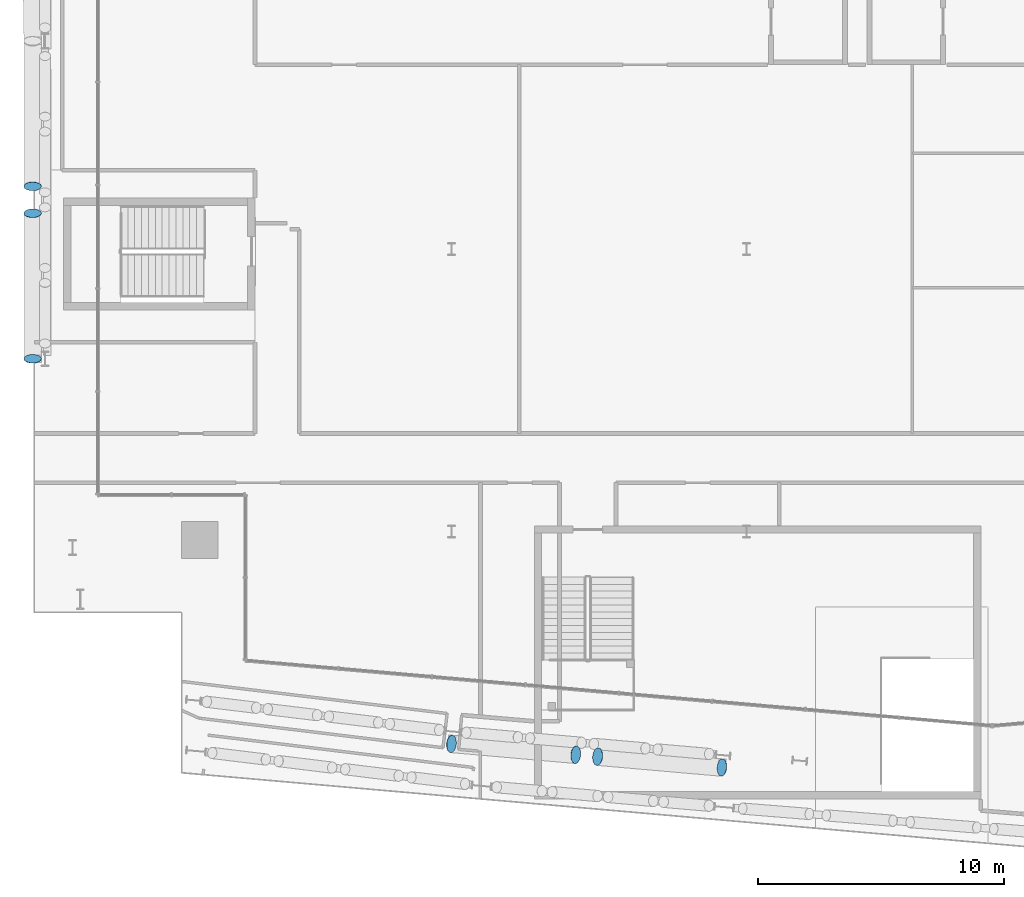
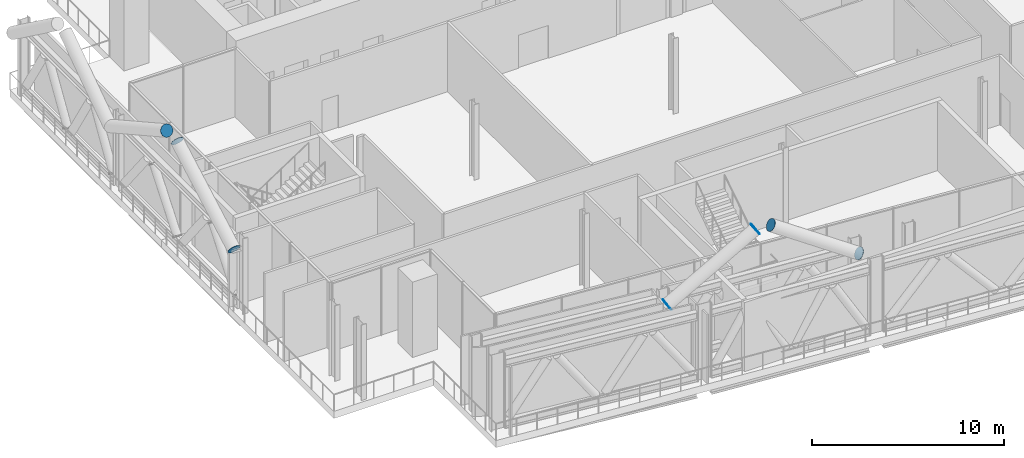
# One storey, part 24 of 42: 7 discrete accessories.
"""IFC4 building model written with IfcOpenShell, lengths in metres."""

from ifc_helpers import new_model, si_unit, direction, frame, origin, origin_2d, place, context, subcontext, project, spatial, circle, extrude, material, material_profile, profile_set, type_object, element, save


model = new_model("IFC4")

# Units and contexts
model_context = context("Model", 3, precision=1e-05, world=origin(), true_north=direction((0.0, 1.0)))
body_context = subcontext(model_context, "Body", "Model", "MODEL_VIEW")
ifc_project = project(units=[si_unit("LENGTHUNIT", "METRE"), si_unit("AREAUNIT", "SQUARE_METRE"), si_unit("VOLUMEUNIT", "CUBIC_METRE"), si_unit("PLANEANGLEUNIT", "RADIAN"), si_unit("MASSUNIT", "GRAM", prefix="KILO")], contexts=[model_context])

# Site, building, storey
site_placement = place(None, origin())
site = spatial("IfcSite", under=ifc_project, at=site_placement, CompositionType="ELEMENT")
building_placement = place(site_placement, origin())
building = spatial("IfcBuilding", under=site, at=building_placement, Name="Wharfspan Tower", CompositionType="ELEMENT")
storey_placement = place(building_placement, frame((0.0, 0.0, 147.100098)))
storey = spatial("IfcBuildingStorey", under=building, at=storey_placement, Name="L35", CompositionType="ELEMENT", Elevation=147.100098)

# Discrete accessories
ifc_material = material(Name="Steel S460NH", Category="steel")
ifc_material_profile = material_profile(ifc_material, circle(Radius=0.355469, at=origin_2d()))
ifc_profile_set = profile_set([ifc_material_profile], Name="Steel S460NH")
discrete_accessory_type = type_object("IfcDiscreteAccessoryType", Name="End plate CHS 711x36", PredefinedType="BRACKET", material=ifc_profile_set)
discrete_accessory_1_placement = place(storey_placement, frame((23.986816, 2.858643, 4.094482), z_axis=(0.837276, -0.073877, 0.541767), x_axis=(0.087893, 0.996132, 1e-06)))
element("IfcDiscreteAccessory", 1, at=discrete_accessory_1_placement, inside=storey, type_object=discrete_accessory_type, Name="End plate CHS 711x36", PredefinedType="BRACKET", context=body_context, shape_type="SweptSolid", body=[
    extrude(circle(Radius=0.355469, at=origin_2d()), origin(), (0.0, 0.0, 1.0), 0.01001),
])
discrete_accessory_2_placement = place(storey_placement, frame((29.043213, 2.41626, 7.404053), z_axis=(0.83357, -0.071449, 0.547774), x_axis=(0.085401, 0.996343, 0.0)))
element("IfcDiscreteAccessory", 2, at=discrete_accessory_2_placement, inside=storey, type_object=discrete_accessory_type, Name="End plate CHS 711x36", PredefinedType="BRACKET", context=body_context, shape_type="SweptSolid", body=[
    extrude(circle(Radius=0.355469, at=origin_2d()), origin(), (0.0, 0.0, 1.0), 0.010254),
])
for number, where, z_axis, x_axis, name in (
    (3, (35.003662, 1.894775, 4.094482), (-0.844416, 0.072379, 0.530776), (-0.085402, -0.99635, 0.0), "End plate CHS 711x36"),
    (4, (29.947021, 2.337158, 7.404053), (-0.82608, 0.072889, 0.558819), (-0.087894, -0.99613, -1e-06), "End plate CHS 711x36"),
    (5, (6.945068, 25.554443, 7.391357), (0.0, -0.874157, 0.485643), (1.0, 0.0, 0.0), "End plate CHS 711x36"),
    (6, (6.945068, 18.524658, 4.094971), (0.0, 0.874157, 0.485643), (-1.0, 0.0, 0.0), "End plate CHS 711x36"),
    (7, (6.945068, 24.445557, 7.391357), (0.0, 0.874157, 0.485643), (-1.0, 0.0, 0.0), "End plate CHS 711x36"),
):
    element("IfcDiscreteAccessory", number, at=place(storey_placement, frame(where, z_axis=z_axis, x_axis=x_axis)), inside=storey, type_object=discrete_accessory_type, Name=name, PredefinedType="BRACKET", context=body_context, shape_type="SweptSolid", body=[
        extrude(circle(Radius=0.355469, at=origin_2d()), origin(), (0.0, 0.0, 1.0), 0.01001),
    ])

save(model, "model.ifc")
